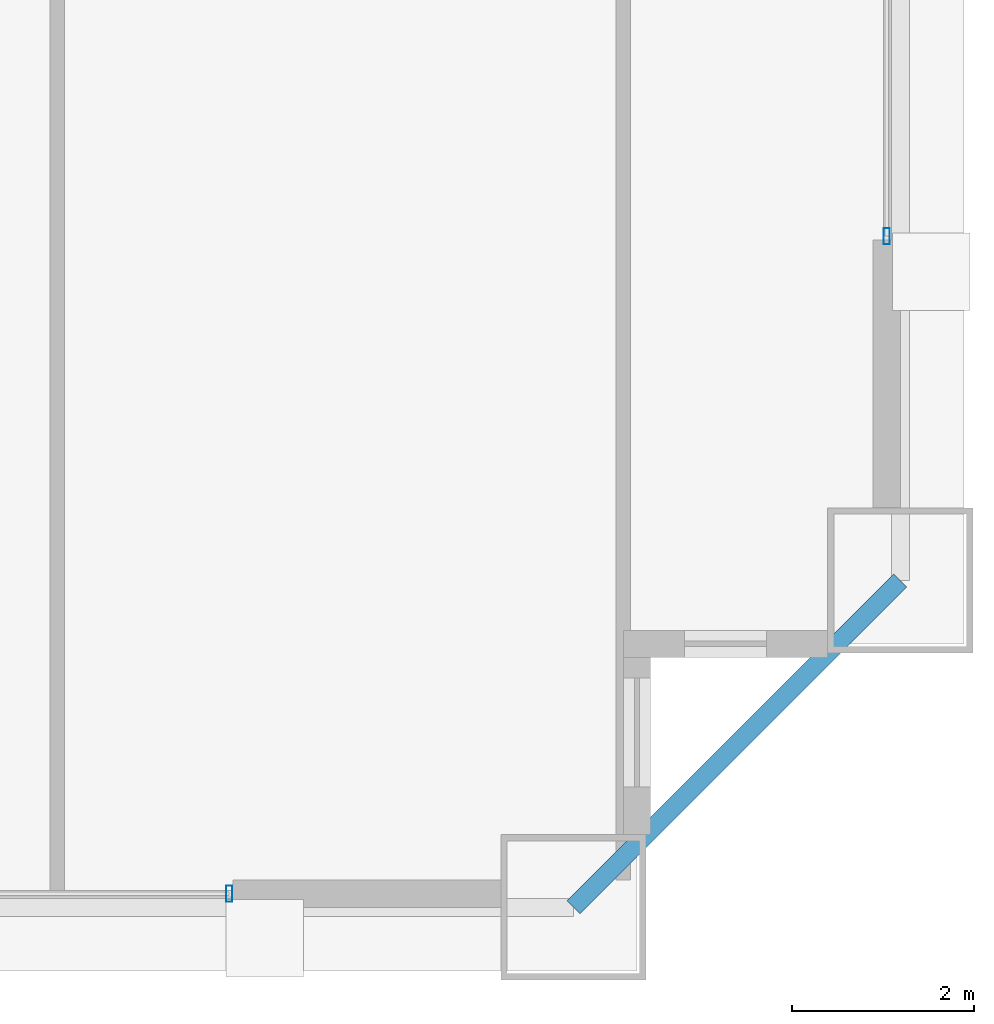
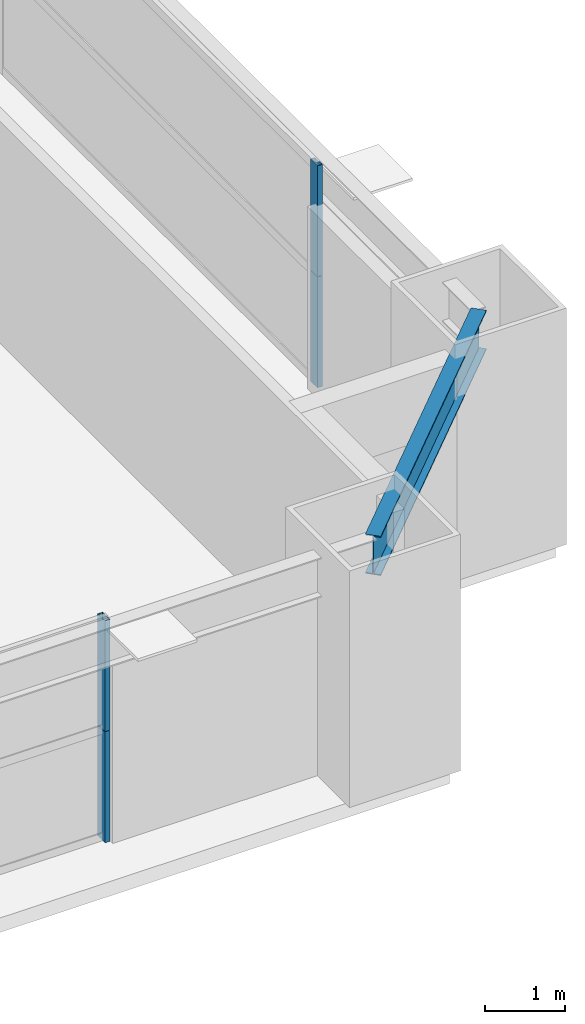
# One storey, part 16 of 39: 4 members, 1 beam, 2 elements without a shape of their own.
"""IFC4 building model written with IfcOpenShell, lengths in metres."""

from ifc_helpers import new_model, si_unit, direction, frame, origin, origin_2d, place, context, subcontext, project, spatial, hollow_rectangle, i_section, extrude, source, transform, mapped, material, layer, layer_set, material_profile, profile_set, type_object, element, aggregate, save


model = new_model("IFC4")

# Units and contexts
model_context = context("Model", 3, precision=1e-05, world=origin(), true_north=direction((0.0, 1.0)))
body_context = subcontext(model_context, "Body", "Model", "MODEL_VIEW")
ifc_project = project(units=[si_unit("LENGTHUNIT", "METRE"), si_unit("AREAUNIT", "SQUARE_METRE"), si_unit("VOLUMEUNIT", "CUBIC_METRE"), si_unit("PLANEANGLEUNIT", "RADIAN"), si_unit("MASSUNIT", "GRAM", prefix="KILO"), si_unit("THERMODYNAMICTEMPERATUREUNIT", "KELVIN"), si_unit("POWERUNIT", "WATT")], contexts=[model_context])

# Site, building, storey
site_placement = place(None, origin())
site = spatial("IfcSite", under=ifc_project, at=site_placement, CompositionType="ELEMENT")
building_placement = place(site_placement, origin())
building = spatial("IfcBuilding", under=site, at=building_placement, Name="Yuzanri Waterfront Tower", CompositionType="ELEMENT")
storey_placement = place(building_placement, frame((0.0, 0.0, 156.0)))
storey = spatial("IfcBuildingStorey", under=building, at=storey_placement, Name="L41", CompositionType="ELEMENT", Elevation=156.0)

# Beam
ifc_material_1 = material(Name="Steel Q355B", Category="steel")
ifc_material_profile_1 = material_profile(ifc_material_1, i_section(OverallWidth=0.199951171875, OverallDepth=0.60009765625, WebThickness=0.010986328125, FlangeThickness=0.01708984375, at=origin_2d()), Name="HN 600x200x11x17")
ifc_profile_set_1 = profile_set([ifc_material_profile_1], Name="Steel Q355B")
beam_type = type_object("IfcBeamType", Name="Perimeter Spandrel Q355B HN 600x200", PredefinedType="SPANDREL", material=ifc_profile_set_1)
shared_shape_1 = source(origin(), body_context, "Body", "SweptSolid", [
    extrude(i_section(OverallWidth=0.199951171875, OverallDepth=0.60009765625, WebThickness=0.010986328125, FlangeThickness=0.01708984375, at=origin_2d()), origin(), (0.0, 0.0, 1.0), 5.09130859375),
])
beam_placement = place(storey_placement, frame((57.0, 2.199951171875, 3.080078125), z_axis=(0.707106781187, 0.707106781187, 0.0), x_axis=(-0.707106781187, 0.707106781187, 0.0)))
element("IfcBeam", 1, at=beam_placement, inside=storey, type_object=beam_type, Name="L41 Perimeter Spandrel S3-E1", PredefinedType="SPANDREL", context=body_context, shape_type="MappedRepresentation", body=[
    mapped(shared_shape_1, transform((0.0, 0.0, 0.0), scale=1.0)),
])

# Curtain wall, members
ifc_material_2 = material(Name="Anodized Architectural Bronze", Category="metal")
ifc_layer = layer(ifc_material_2, 0.159912109375)
ifc_layer_set = layer_set([ifc_layer], Name="Anodized Architectural Bronze")
curtain_wall_type = type_object("IfcCurtainWallType", Name="Anodized Bronze Hotel Upper-Tier Solar-Control Unitized Curtain Wall 7800", PredefinedType="NOTDEFINED", material=ifc_layer_set)
curtain_wall_1_placement = place(storey_placement, origin())
curtain_wall_1 = element("IfcCurtainWall", 2, at=curtain_wall_1_placement, inside=storey, type_object=curtain_wall_type, Name="L41 Curtain Wall CW-L41-SR", PredefinedType="NOTDEFINED")
ifc_material_3 = material(Name="Anodized Architectural Bronze", Category="metal")
ifc_material_profile_2 = material_profile(ifc_material_3, hollow_rectangle(XDim=0.070068359375, YDim=0.179931640625, WallThickness=0.00390625, at=origin_2d()), Name="CWM 70x180")
ifc_profile_set_2 = profile_set([ifc_material_profile_2], Name="Anodized Architectural Bronze")
member_type = type_object("IfcMemberType", Name="Anodized Bronze Standard Curtain-Wall Mullion 70x180", PredefinedType="MULLION", material=ifc_profile_set_2)
shared_shape_2 = source(origin(), body_context, "Body", "SweptSolid", [
    extrude(hollow_rectangle(XDim=0.070068359375, YDim=0.179931640625, WallThickness=0.00390625, at=origin_2d()), origin(), (0.0, 0.0, 1.0), 1.68798828125),
])
member_1_placement = place(storey_placement, frame((53.2099609375, 2.35009765625, 0.0), z_axis=(0.0, 0.0, 1.0), x_axis=(1.0, 0.0, 0.0)))
member_1 = element("IfcMember", 3, at=member_1_placement, type_object=member_type, Name="CW-L41-SR Lower Mullion 02", PredefinedType="MULLION", context=body_context, shape_type="MappedRepresentation", body=[
    mapped(shared_shape_2, transform((0.0, 0.0, 0.0), scale=1.0)),
])
member_2_placement = place(storey_placement, frame((53.2099609375, 2.35009765625, 1.69189453125), z_axis=(0.0, 0.0, 1.0), x_axis=(1.0, 0.0, 0.0)))
member_2 = element("IfcMember", 4, at=member_2_placement, type_object=member_type, Name="CW-L41-SR Upper Mullion 02", PredefinedType="MULLION", context=body_context, shape_type="MappedRepresentation", body=[
    mapped(shared_shape_2, transform((0.0, 0.0, 0.0), scale=1.0)),
])
aggregate(curtain_wall_1, [member_1, member_2])

curtain_wall_2_placement = place(storey_placement, origin())
curtain_wall_2 = element("IfcCurtainWall", 5, at=curtain_wall_2_placement, inside=storey, type_object=curtain_wall_type, Name="L41 Curtain Wall CW-L41-EL", PredefinedType="NOTDEFINED")
member_3_placement = place(storey_placement, frame((60.449951171875, 9.590087890625, 0.0), z_axis=(0.0, 0.0, 1.0), x_axis=(1.0, 0.0, 0.0)))
member_3 = element("IfcMember", 6, at=member_3_placement, type_object=member_type, Name="CW-L41-EL Lower Mullion 00", PredefinedType="MULLION", context=body_context, shape_type="MappedRepresentation", body=[
    mapped(shared_shape_2, transform((0.0, 0.0, 0.0), scale=1.0)),
])
member_4_placement = place(storey_placement, frame((60.449951171875, 9.590087890625, 1.69189453125), z_axis=(0.0, 0.0, 1.0), x_axis=(1.0, 0.0, 0.0)))
member_4 = element("IfcMember", 7, at=member_4_placement, type_object=member_type, Name="CW-L41-EL Upper Mullion 00", PredefinedType="MULLION", context=body_context, shape_type="MappedRepresentation", body=[
    mapped(shared_shape_2, transform((0.0, 0.0, 0.0), scale=1.0)),
])
aggregate(curtain_wall_2, [member_3, member_4])

save(model, "model.ifc")
